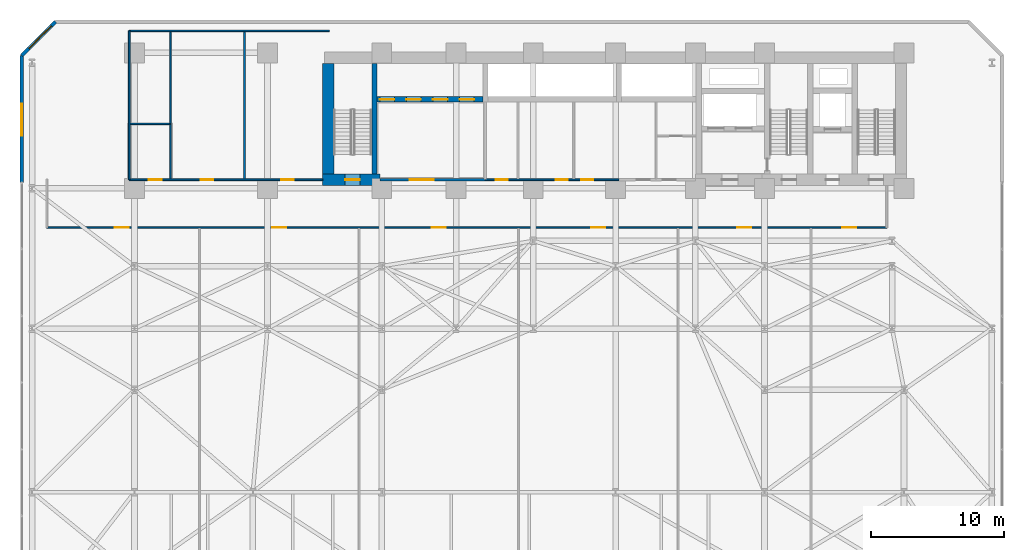
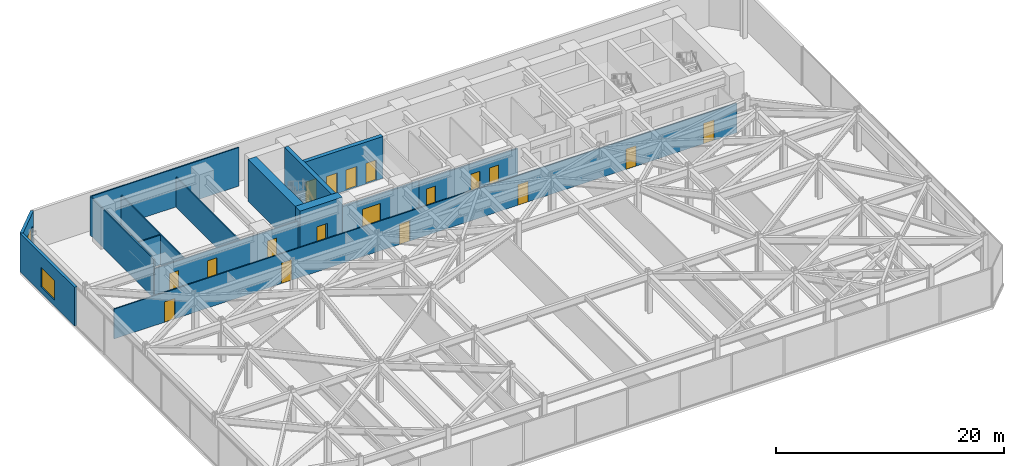
# One storey, part 26 of 30: 18 doors, 15 walls, 2 windows, 20 openings.
"""IFC4 building model written with IfcOpenShell, lengths in metres."""

from ifc_helpers import new_model, si_unit, direction, frame, frame_2d, origin, place, context, subcontext, project, spatial, rectangle, extrude, material, layer, layer_set, type_object, element, fill, save


model = new_model("IFC4")

# Units and contexts
model_context = context("Model", 3, precision=1e-05, world=origin(), true_north=direction((0.0, 1.0)))
body_context = subcontext(model_context, "Body", "Model", "MODEL_VIEW")
ifc_project = project(units=[si_unit("LENGTHUNIT", "METRE"), si_unit("AREAUNIT", "SQUARE_METRE"), si_unit("VOLUMEUNIT", "CUBIC_METRE"), si_unit("PLANEANGLEUNIT", "RADIAN"), si_unit("MASSUNIT", "GRAM", prefix="KILO")], contexts=[model_context])

# Site, building, storey
site_placement = place(None, origin())
site = spatial("IfcSite", under=ifc_project, at=site_placement, CompositionType="ELEMENT")
building_placement = place(site_placement, origin())
building = spatial("IfcBuilding", under=site, at=building_placement, Name="Kravanh Interchange Tower", CompositionType="ELEMENT")
storey_placement = place(building_placement, frame((0.0, 0.0, 19.800048828125)))
storey = spatial("IfcBuildingStorey", under=building, at=storey_placement, Name="L04", CompositionType="ELEMENT", Elevation=19.800048828125)

# Wall, openings, doors
ifc_material_1 = material(Name="Double Acoustic Gypsum Board and Mineral Wool")
ifc_layer_1 = layer(ifc_material_1, 0.1201171875)
ifc_layer_set_1 = layer_set([ifc_layer_1], Name="Acoustic Office Drywall Partition 120mm")
wall_type_1 = type_object("IfcWallType", Name="Acoustic Office Drywall Partition 120mm", PredefinedType="PARTITIONING", material=ifc_layer_set_1)
wall_1_placement = place(storey_placement, frame((2.0, 34.39990234375, 0.0), z_axis=(0.0, 0.0, 1.0), x_axis=(1.0, 0.0, 0.0)))
wall_1 = element("IfcWall", 1, at=wall_1_placement, inside=storey, type_object=wall_type_1, Name="L04 Interior Partition 9", PredefinedType="PARTITIONING", context=body_context, shape_type="SweptSolid", body=[
    extrude(rectangle(XDim=63.199951171875, YDim=0.1201171875, at=frame_2d((31.60009765625, 0.0))), origin(), (0.0, 0.0, 1.0), 3.201904296875),
])
opening_1_placement = place(wall_1_placement, frame((5.10986328125, 0.0, 0.0)))
opening_1 = element("IfcOpeningElement", 2, at=opening_1_placement, cuts=wall_1, Name="Opening D-105", PredefinedType="OPENING", context=body_context, shape_type="SweptSolid", body=[
    extrude(rectangle(XDim=1.050048828125, YDim=2.199951171875, at=frame_2d((0.52490234375, 1.10009765625))), frame((0.0, 0.070068359375, 0.0), z_axis=(0.0, -1.0, 0.0), x_axis=(1.0, 0.0, 0.0)), (0.0, 0.0, 1.0), 0.14013671875),
])
opening_2_placement = place(wall_1_placement, frame((16.97509765625, 0.0, 0.0)))
opening_2 = element("IfcOpeningElement", 3, at=opening_2_placement, cuts=wall_1, Name="Opening D-105", PredefinedType="OPENING", context=body_context, shape_type="SweptSolid", body=[
    extrude(rectangle(XDim=1.050048828125, YDim=2.199951171875, at=frame_2d((0.52490234375, 1.10009765625))), frame((0.0, 0.070068359375, 0.0), z_axis=(0.0, -1.0, 0.0), x_axis=(1.0, 0.0, 0.0)), (0.0, 0.0, 1.0), 0.14013671875),
])
opening_3_placement = place(wall_1_placement, frame((28.97509765625, 0.0, 0.0)))
opening_3 = element("IfcOpeningElement", 4, at=opening_3_placement, cuts=wall_1, Name="Opening D-105", PredefinedType="OPENING", context=body_context, shape_type="SweptSolid", body=[
    extrude(rectangle(XDim=1.050048828125, YDim=2.199951171875, at=frame_2d((0.52490234375, 1.10009765625))), frame((0.0, 0.070068359375, 0.0), z_axis=(0.0, -1.0, 0.0), x_axis=(1.0, 0.0, 0.0)), (0.0, 0.0, 1.0), 0.14013671875),
])
opening_4_placement = place(wall_1_placement, frame((40.97509765625, 0.0, 0.0)))
opening_4 = element("IfcOpeningElement", 5, at=opening_4_placement, cuts=wall_1, Name="Opening D-105", PredefinedType="OPENING", context=body_context, shape_type="SweptSolid", body=[
    extrude(rectangle(XDim=1.050048828125, YDim=2.199951171875, at=frame_2d((0.52490234375, 1.10009765625))), frame((0.0, 0.070068359375, 0.0), z_axis=(0.0, -1.0, 0.0), x_axis=(1.0, 0.0, 0.0)), (0.0, 0.0, 1.0), 0.14013671875),
])
opening_5_placement = place(wall_1_placement, frame((51.93505859375, 0.0, 0.0)))
opening_5 = element("IfcOpeningElement", 6, at=opening_5_placement, cuts=wall_1, Name="Opening D-105", PredefinedType="OPENING", context=body_context, shape_type="SweptSolid", body=[
    extrude(rectangle(XDim=1.050048828125, YDim=2.199951171875, at=frame_2d((0.52490234375, 1.10009765625))), frame((0.0, 0.070068359375, 0.0), z_axis=(0.0, -1.0, 0.0), x_axis=(1.0, 0.0, 0.0)), (0.0, 0.0, 1.0), 0.14013671875),
])
opening_6_placement = place(wall_1_placement, frame((59.85009765625, 0.0, 0.0)))
opening_6 = element("IfcOpeningElement", 7, at=opening_6_placement, cuts=wall_1, Name="Opening D-105", PredefinedType="OPENING", context=body_context, shape_type="SweptSolid", body=[
    extrude(rectangle(XDim=1.050048828125, YDim=2.199951171875, at=frame_2d((0.52490234375, 1.10009765625))), frame((0.0, 0.070068359375, 0.0), z_axis=(0.0, -1.0, 0.0), x_axis=(1.0, 0.0, 0.0)), (0.0, 0.0, 1.0), 0.14013671875),
])
ifc_material_2 = material(Name="Acoustic Glazed Oak and Aluminium", Category="aluminium")
door_type_1 = type_object("IfcDoorType", Name="Office Workplace Door 1050x2200", OperationType="NOTDEFINED", PredefinedType="DOOR", material=ifc_material_2)
door_1_placement = place(opening_1_placement, origin())
door_1 = element("IfcDoor", 8, at=door_1_placement, inside=storey, type_object=door_type_1, Name="L04 Trade Advisory Suite Door", OperationType="SINGLE_SWING_RIGHT", OverallHeight=2.199951171875, OverallWidth=1.050048828125, PredefinedType="DOOR", context=body_context, shape_type="SweptSolid", body=[
    extrude(rectangle(XDim=1.050048828125, YDim=2.199951171875, at=frame_2d((0.52490234375, 1.10009765625))), frame((0.0, 0.02490234375, 0.0), z_axis=(0.0, -1.0, 0.0), x_axis=(1.0, 0.0, 0.0)), (0.0, 0.0, 1.0), 0.050048828125),
])
fill(opening_1, door_1)
door_2_placement = place(opening_2_placement, origin())
door_2 = element("IfcDoor", 9, at=door_2_placement, inside=storey, type_object=door_type_1, Name="L04 Regional Chambers Office Door", OperationType="SINGLE_SWING_LEFT", OverallHeight=2.199951171875, OverallWidth=1.050048828125, PredefinedType="DOOR", context=body_context, shape_type="SweptSolid", body=[
    extrude(rectangle(XDim=1.050048828125, YDim=2.199951171875, at=frame_2d((0.52490234375, 1.10009765625))), frame((0.0, 0.02490234375, 0.0), z_axis=(0.0, -1.0, 0.0), x_axis=(1.0, 0.0, 0.0)), (0.0, 0.0, 1.0), 0.050048828125),
])
fill(opening_2, door_2)
door_3_placement = place(opening_3_placement, origin())
door_3 = element("IfcDoor", 10, at=door_3_placement, inside=storey, type_object=door_type_1, Name="L04 Policy Research Office Door", OperationType="SINGLE_SWING_RIGHT", OverallHeight=2.199951171875, OverallWidth=1.050048828125, PredefinedType="DOOR", context=body_context, shape_type="SweptSolid", body=[
    extrude(rectangle(XDim=1.050048828125, YDim=2.199951171875, at=frame_2d((0.52490234375, 1.10009765625))), frame((0.0, 0.02490234375, 0.0), z_axis=(0.0, -1.0, 0.0), x_axis=(1.0, 0.0, 0.0)), (0.0, 0.0, 1.0), 0.050048828125),
])
fill(opening_3, door_3)
door_4_placement = place(opening_4_placement, origin())
door_4 = element("IfcDoor", 11, at=door_4_placement, inside=storey, type_object=door_type_1, Name="L04 Digital Media Studio Door", OperationType="SINGLE_SWING_LEFT", OverallHeight=2.199951171875, OverallWidth=1.050048828125, PredefinedType="DOOR", context=body_context, shape_type="SweptSolid", body=[
    extrude(rectangle(XDim=1.050048828125, YDim=2.199951171875, at=frame_2d((0.52490234375, 1.10009765625))), frame((0.0, 0.02490234375, 0.0), z_axis=(0.0, -1.0, 0.0), x_axis=(1.0, 0.0, 0.0)), (0.0, 0.0, 1.0), 0.050048828125),
])
fill(opening_4, door_4)
door_5_placement = place(opening_5_placement, origin())
door_5 = element("IfcDoor", 12, at=door_5_placement, inside=storey, type_object=door_type_1, Name="L04 Legal Clinic Door", OperationType="SINGLE_SWING_RIGHT", OverallHeight=2.199951171875, OverallWidth=1.050048828125, PredefinedType="DOOR", context=body_context, shape_type="SweptSolid", body=[
    extrude(rectangle(XDim=1.050048828125, YDim=2.199951171875, at=frame_2d((0.52490234375, 1.10009765625))), frame((0.0, 0.02490234375, 0.0), z_axis=(0.0, -1.0, 0.0), x_axis=(1.0, 0.0, 0.0)), (0.0, 0.0, 1.0), 0.050048828125),
])
fill(opening_5, door_5)
door_6_placement = place(opening_6_placement, origin())
door_6 = element("IfcDoor", 13, at=door_6_placement, inside=storey, type_object=door_type_1, Name="L04 Executive Chambers Office Door", OperationType="SINGLE_SWING_LEFT", OverallHeight=2.199951171875, OverallWidth=1.050048828125, PredefinedType="DOOR", context=body_context, shape_type="SweptSolid", body=[
    extrude(rectangle(XDim=1.050048828125, YDim=2.199951171875, at=frame_2d((0.52490234375, 1.10009765625))), frame((0.0, 0.02490234375, 0.0), z_axis=(0.0, -1.0, 0.0), x_axis=(1.0, 0.0, 0.0)), (0.0, 0.0, 1.0), 0.050048828125),
])
fill(opening_6, door_6)

wall_2_placement = place(storey_placement, frame((8.199951171875, 38.0, 0.0), z_axis=(0.0, 0.0, 1.0), x_axis=(1.0, 0.0, 0.0)))
wall_2 = element("IfcWall", 14, at=wall_2_placement, inside=storey, type_object=wall_type_1, Name="L04 Restroom Corridor Wall 12", PredefinedType="PARTITIONING", context=body_context, shape_type="SweptSolid", body=[
    extrude(rectangle(XDim=14.550048828125, YDim=0.1201171875, at=frame_2d((7.27490234375, 0.0))), origin(), (0.0, 0.0, 1.0), 3.201904296875),
])
opening_7_placement = place(wall_2_placement, frame((1.481689453125, 0.0, 0.0)))
opening_7 = element("IfcOpeningElement", 15, at=opening_7_placement, cuts=wall_2, Name="Opening D-95", PredefinedType="OPENING", context=body_context, shape_type="SweptSolid", body=[
    extrude(rectangle(XDim=0.949951171875, YDim=2.14990234375, at=frame_2d((0.47509765625, 1.074951171875))), frame((0.0, 0.070068359375, 0.0), z_axis=(0.0, -1.0, 0.0), x_axis=(1.0, 0.0, 0.0)), (0.0, 0.0, 1.0), 0.14013671875),
])
opening_8_placement = place(wall_2_placement, frame((5.369873046875, 0.0, 0.0)))
opening_8 = element("IfcOpeningElement", 16, at=opening_8_placement, cuts=wall_2, Name="Opening D-95", PredefinedType="OPENING", context=body_context, shape_type="SweptSolid", body=[
    extrude(rectangle(XDim=0.949951171875, YDim=2.14990234375, at=frame_2d((0.47509765625, 1.074951171875))), frame((0.0, 0.070068359375, 0.0), z_axis=(0.0, -1.0, 0.0), x_axis=(1.0, 0.0, 0.0)), (0.0, 0.0, 1.0), 0.14013671875),
])
opening_9_placement = place(wall_2_placement, frame((11.436767578125, 0.0, 0.0)))
opening_9 = element("IfcOpeningElement", 17, at=opening_9_placement, cuts=wall_2, Name="Opening D-95", PredefinedType="OPENING", context=body_context, shape_type="SweptSolid", body=[
    extrude(rectangle(XDim=0.949951171875, YDim=2.14990234375, at=frame_2d((0.47509765625, 1.074951171875))), frame((0.0, 0.070068359375, 0.0), z_axis=(0.0, -1.0, 0.0), x_axis=(1.0, 0.0, 0.0)), (0.0, 0.0, 1.0), 0.14013671875),
])
ifc_material_3 = material(Name="Laminate Solid-Core Timber", Category="wood")
door_type_2 = type_object("IfcDoorType", Name="Accessible Restroom Door 950x2150", OperationType="NOTDEFINED", PredefinedType="DOOR", material=ifc_material_3)
door_7_placement = place(opening_7_placement, origin())
door_7 = element("IfcDoor", 18, at=door_7_placement, inside=storey, type_object=door_type_2, Name="L04 Accessible WC Door", OperationType="SINGLE_SWING_LEFT", OverallHeight=2.14990234375, OverallWidth=0.949951171875, PredefinedType="DOOR", context=body_context, shape_type="SweptSolid", body=[
    extrude(rectangle(XDim=0.949951171875, YDim=2.14990234375, at=frame_2d((0.47509765625, 1.074951171875))), frame((0.0, 0.02490234375, 0.0), z_axis=(0.0, -1.0, 0.0), x_axis=(1.0, 0.0, 0.0)), (0.0, 0.0, 1.0), 0.050048828125),
])
fill(opening_7, door_7)
door_8_placement = place(opening_8_placement, origin())
door_8 = element("IfcDoor", 19, at=door_8_placement, inside=storey, type_object=door_type_2, Name="L04 Female WC Door", OperationType="SINGLE_SWING_RIGHT", OverallHeight=2.14990234375, OverallWidth=0.949951171875, PredefinedType="DOOR", context=body_context, shape_type="SweptSolid", body=[
    extrude(rectangle(XDim=0.949951171875, YDim=2.14990234375, at=frame_2d((0.47509765625, 1.074951171875))), frame((0.0, 0.02490234375, 0.0), z_axis=(0.0, -1.0, 0.0), x_axis=(1.0, 0.0, 0.0)), (0.0, 0.0, 1.0), 0.050048828125),
])
fill(opening_8, door_8)
door_9_placement = place(opening_9_placement, origin())
door_9 = element("IfcDoor", 20, at=door_9_placement, inside=storey, type_object=door_type_2, Name="L04 Male WC Door", OperationType="SINGLE_SWING_LEFT", OverallHeight=2.14990234375, OverallWidth=0.949951171875, PredefinedType="DOOR", context=body_context, shape_type="SweptSolid", body=[
    extrude(rectangle(XDim=0.949951171875, YDim=2.14990234375, at=frame_2d((0.47509765625, 1.074951171875))), frame((0.0, 0.02490234375, 0.0), z_axis=(0.0, -1.0, 0.0), x_axis=(1.0, 0.0, 0.0)), (0.0, 0.0, 1.0), 0.050048828125),
])
fill(opening_9, door_9)

# Walls
wall_3_placement = place(storey_placement, frame((8.199951171875, 38.0, 0.0), z_axis=(0.0, 0.0, 1.0), x_axis=(0.0, 1.0, 0.0)))
element("IfcWall", 21, at=wall_3_placement, inside=storey, type_object=wall_type_1, Name="L04 Restroom West Enclosure 13", PredefinedType="PARTITIONING", context=body_context, shape_type="SweptSolid", body=[
    extrude(rectangle(XDim=11.199951171875, YDim=0.1201171875, at=frame_2d((5.60009765625, 0.0))), origin(), (0.0, 0.0, 1.0), 4.14990234375),
])
wall_4_placement = place(storey_placement, frame((8.199951171875, 49.199951171875, 0.0), z_axis=(0.0, 0.0, 1.0), x_axis=(1.0, 0.0, 0.0)))
element("IfcWall", 22, at=wall_4_placement, inside=storey, type_object=wall_type_1, Name="L04 Restroom North Enclosure 14", PredefinedType="PARTITIONING", context=body_context, shape_type="SweptSolid", body=[
    extrude(rectangle(XDim=15.050048828125, YDim=0.1201171875, at=frame_2d((7.52490234375, 0.0))), origin(), (0.0, 0.0, 1.0), 4.14990234375),
])
for number, where, z_axis, x_axis, name in (
    (23, (11.300048828125, 38.068115234375, 0.0), (0.0, 0.0, 1.0), (0.0, 1.0, 0.0), "L04 Interior Partition 15"),
    (24, (16.8701171875, 38.068115234375, 0.0), (0.0, 0.0, 1.0), (0.0, 1.0, 0.0), "L04 Interior Partition 16"),
):
    element("IfcWall", number, at=place(storey_placement, frame(where, z_axis=z_axis, x_axis=x_axis)), inside=storey, type_object=wall_type_1, Name=name, PredefinedType="PARTITIONING", context=body_context, shape_type="SweptSolid", body=[
        extrude(rectangle(XDim=11.06396484375, YDim=0.1201171875, at=frame_2d((5.531982421875, 0.0))), origin(), (0.0, 0.0, 1.0), 3.201904296875),
    ])
wall_5_placement = place(storey_placement, frame((8.26806640625, 42.199951171875, 0.0), z_axis=(0.0, 0.0, 1.0), x_axis=(1.0, 0.0, 0.0)))
element("IfcWall", 25, at=wall_5_placement, inside=storey, type_object=wall_type_1, Name="L04 Interior Partition 17", PredefinedType="PARTITIONING", context=body_context, shape_type="SweptSolid", body=[
    extrude(rectangle(XDim=2.9638671875, YDim=0.1201171875, at=frame_2d((1.48193359375, 0.0))), origin(), (0.0, 0.0, 1.0), 3.201904296875),
])

# Wall, openings, doors
ifc_material_4 = material(Name="Concrete C80/95", Category="concrete")
ifc_layer_2 = layer(ifc_material_4, 0.39990234375)
ifc_layer_set_2 = layer_set([ifc_layer_2], Name="Core Shear Wall Concrete C80/95 400mm")
wall_type_2 = type_object("IfcWallType", Name="Core Shear Wall Concrete C80/95 400mm", PredefinedType="SHEAR", material=ifc_layer_set_2)
wall_6_placement = place(storey_placement, frame((26.85009765625, 44.050048828125, 0.0), z_axis=(0.0, 0.0, 1.0), x_axis=(1.0, 0.0, 0.0)))
wall_6 = element("IfcWall", 26, at=wall_6_placement, inside=storey, type_object=wall_type_2, Name="L04 Low-Rise Lift Shaft South Wall", PredefinedType="SHEAR", context=body_context, shape_type="SweptSolid", body=[
    extrude(rectangle(XDim=7.949951171875, YDim=0.39990234375, at=frame_2d((3.97509765625, 0.0))), origin(), (0.0, 0.0, 1.0), 4.5),
])
opening_10_placement = place(wall_6_placement, frame((0.199951171875, 0.0, 0.0)))
opening_10 = element("IfcOpeningElement", 27, at=opening_10_placement, cuts=wall_6, Name="Opening LD01", PredefinedType="OPENING", context=body_context, shape_type="SweptSolid", body=[
    extrude(rectangle(XDim=1.10009765625, YDim=2.199951171875, at=frame_2d((0.550048828125, 1.10009765625))), frame((0.0, 0.2099609375, 0.0), z_axis=(0.0, -1.0, 0.0), x_axis=(1.0, 0.0, 0.0)), (0.0, 0.0, 1.0), 0.419921875),
])
opening_11_placement = place(wall_6_placement, frame((2.199951171875, 0.0, 0.0)))
opening_11 = element("IfcOpeningElement", 28, at=opening_11_placement, cuts=wall_6, Name="Opening LD01", PredefinedType="OPENING", context=body_context, shape_type="SweptSolid", body=[
    extrude(rectangle(XDim=1.10009765625, YDim=2.199951171875, at=frame_2d((0.550048828125, 1.10009765625))), frame((0.0, 0.2099609375, 0.0), z_axis=(0.0, -1.0, 0.0), x_axis=(1.0, 0.0, 0.0)), (0.0, 0.0, 1.0), 0.419921875),
])
opening_12_placement = place(wall_6_placement, frame((4.199951171875, 0.0, 0.0)))
opening_12 = element("IfcOpeningElement", 29, at=opening_12_placement, cuts=wall_6, Name="Opening LD01", PredefinedType="OPENING", context=body_context, shape_type="SweptSolid", body=[
    extrude(rectangle(XDim=1.10009765625, YDim=2.199951171875, at=frame_2d((0.550048828125, 1.10009765625))), frame((0.0, 0.2099609375, 0.0), z_axis=(0.0, -1.0, 0.0), x_axis=(1.0, 0.0, 0.0)), (0.0, 0.0, 1.0), 0.419921875),
])
opening_13_placement = place(wall_6_placement, frame((6.199951171875, 0.0, 0.0)))
opening_13 = element("IfcOpeningElement", 30, at=opening_13_placement, cuts=wall_6, Name="Opening LD01", PredefinedType="OPENING", context=body_context, shape_type="SweptSolid", body=[
    extrude(rectangle(XDim=1.10009765625, YDim=2.199951171875, at=frame_2d((0.550048828125, 1.10009765625))), frame((0.0, 0.2099609375, 0.0), z_axis=(0.0, -1.0, 0.0), x_axis=(1.0, 0.0, 0.0)), (0.0, 0.0, 1.0), 0.419921875),
])
ifc_material_5 = material(Name="Stainless Steel 304", Category="steel")
door_type_3 = type_object("IfcDoorType", Name="Passenger Lift Sliding Landing Door 1100x2200", OperationType="DOUBLE_DOOR_SLIDING", PredefinedType="DOOR", material=ifc_material_5)
door_10_placement = place(opening_10_placement, origin())
door_10 = element("IfcDoor", 31, at=door_10_placement, inside=storey, type_object=door_type_3, Name="L04 Lift LP-L1 Landing Door", OperationType="DOUBLE_DOOR_SLIDING", OverallHeight=2.199951171875, OverallWidth=1.10009765625, PredefinedType="DOOR", context=body_context, shape_type="SweptSolid", body=[
    extrude(rectangle(XDim=1.10009765625, YDim=2.199951171875, at=frame_2d((0.550048828125, 1.10009765625))), frame((0.0, 0.02490234375, 0.0), z_axis=(0.0, -1.0, 0.0), x_axis=(1.0, 0.0, 0.0)), (0.0, 0.0, 1.0), 0.050048828125),
])
fill(opening_10, door_10)
door_11_placement = place(opening_11_placement, origin())
door_11 = element("IfcDoor", 32, at=door_11_placement, inside=storey, type_object=door_type_3, Name="L04 Lift LP-L2 Landing Door", OperationType="DOUBLE_DOOR_SLIDING", OverallHeight=2.199951171875, OverallWidth=1.10009765625, PredefinedType="DOOR", context=body_context, shape_type="SweptSolid", body=[
    extrude(rectangle(XDim=1.10009765625, YDim=2.199951171875, at=frame_2d((0.550048828125, 1.10009765625))), frame((0.0, 0.02490234375, 0.0), z_axis=(0.0, -1.0, 0.0), x_axis=(1.0, 0.0, 0.0)), (0.0, 0.0, 1.0), 0.050048828125),
])
fill(opening_11, door_11)
door_12_placement = place(opening_12_placement, origin())
door_12 = element("IfcDoor", 33, at=door_12_placement, inside=storey, type_object=door_type_3, Name="L04 Lift LP-L3 Landing Door", OperationType="DOUBLE_DOOR_SLIDING", OverallHeight=2.199951171875, OverallWidth=1.10009765625, PredefinedType="DOOR", context=body_context, shape_type="SweptSolid", body=[
    extrude(rectangle(XDim=1.10009765625, YDim=2.199951171875, at=frame_2d((0.550048828125, 1.10009765625))), frame((0.0, 0.02490234375, 0.0), z_axis=(0.0, -1.0, 0.0), x_axis=(1.0, 0.0, 0.0)), (0.0, 0.0, 1.0), 0.050048828125),
])
fill(opening_12, door_12)
door_13_placement = place(opening_13_placement, origin())
door_13 = element("IfcDoor", 34, at=door_13_placement, inside=storey, type_object=door_type_3, Name="L04 Lift LP-L4 Landing Door", OperationType="DOUBLE_DOOR_SLIDING", OverallHeight=2.199951171875, OverallWidth=1.10009765625, PredefinedType="DOOR", context=body_context, shape_type="SweptSolid", body=[
    extrude(rectangle(XDim=1.10009765625, YDim=2.199951171875, at=frame_2d((0.550048828125, 1.10009765625))), frame((0.0, 0.02490234375, 0.0), z_axis=(0.0, -1.0, 0.0), x_axis=(1.0, 0.0, 0.0)), (0.0, 0.0, 1.0), 0.050048828125),
])
fill(opening_13, door_13)

# Wall
wall_7_placement = place(storey_placement, frame((26.64990234375, 38.425048828125, 0.0), z_axis=(0.0, 0.0, 1.0), x_axis=(0.0, 1.0, 0.0)))
element("IfcWall", 35, at=wall_7_placement, inside=storey, type_object=wall_type_2, Name="L04 Stair ST3 East Shear Wall", PredefinedType="SHEAR", context=body_context, shape_type="SweptSolid", body=[
    extrude(rectangle(XDim=8.324951171875, YDim=0.39990234375, at=frame_2d((4.16259765625, 0.0))), origin(), (0.0, 0.0, 1.0), 4.5),
])

# Wall, opening, door
ifc_material_6 = material(Name="Concrete C80/95", Category="concrete")
ifc_layer_3 = layer(ifc_material_6, 0.85009765625)
ifc_layer_set_3 = layer_set([ifc_layer_3], Name="Core Shear Wall Concrete C80/95 850mm")
wall_type_3 = type_object("IfcWallType", Name="Core Shear Wall Concrete C80/95 850mm", PredefinedType="SHEAR", material=ifc_layer_set_3)
wall_8_placement = place(storey_placement, frame((22.75, 38.0, 0.0), z_axis=(0.0, 0.0, 1.0), x_axis=(1.0, 0.0, 0.0)))
wall_8 = element("IfcWall", 36, at=wall_8_placement, inside=storey, type_object=wall_type_3, Name="L04 Stair ST3 South Shear Wall", PredefinedType="SHEAR", context=body_context, shape_type="SweptSolid", body=[
    extrude(rectangle(XDim=4.300048828125, YDim=0.85009765625, at=frame_2d((2.14990234375, 0.0))), origin(), (0.0, 0.0, 1.0), 4.5),
])
opening_14_placement = place(wall_8_placement, frame((1.699951171875, 0.0, 0.0)))
opening_14 = element("IfcOpeningElement", 37, at=opening_14_placement, cuts=wall_8, Name="Opening D-STAIR-110", PredefinedType="OPENING", context=body_context, shape_type="SweptSolid", body=[
    extrude(rectangle(XDim=1.10009765625, YDim=2.199951171875, at=frame_2d((0.550048828125, 1.10009765625))), frame((0.0, 0.43505859375, 0.0), z_axis=(0.0, -1.0, 0.0), x_axis=(1.0, 0.0, 0.0)), (0.0, 0.0, 1.0), 0.8701171875),
])
ifc_material_7 = material(Name="Structural Steel S355", Category="steel")
door_type_4 = type_object("IfcDoorType", Name="Fire-Rated Exit Stair Door 1100x2200", OperationType="NOTDEFINED", PredefinedType="DOOR", material=ifc_material_7)
door_14_placement = place(opening_14_placement, origin())
door_14 = element("IfcDoor", 38, at=door_14_placement, inside=storey, type_object=door_type_4, Name="L04 Exit Stair ST3 Door", OperationType="SINGLE_SWING_RIGHT", OverallHeight=2.199951171875, OverallWidth=1.10009765625, PredefinedType="DOOR", context=body_context, shape_type="SweptSolid", body=[
    extrude(rectangle(XDim=1.10009765625, YDim=2.199951171875, at=frame_2d((0.550048828125, 1.10009765625))), frame((0.0, 0.02490234375, 0.0), z_axis=(0.0, -1.0, 0.0), x_axis=(1.0, 0.0, 0.0)), (0.0, 0.0, 1.0), 0.050048828125),
])
fill(opening_14, door_14)

# Wall
wall_9_placement = place(storey_placement, frame((23.175048828125, 38.425048828125, 0.0), z_axis=(0.0, 0.0, 1.0), x_axis=(0.0, 1.0, 0.0)))
element("IfcWall", 39, at=wall_9_placement, inside=storey, type_object=wall_type_3, Name="L04 Stair ST3 West Shear Wall", PredefinedType="SHEAR", context=body_context, shape_type="SweptSolid", body=[
    extrude(rectangle(XDim=8.324951171875, YDim=0.85009765625, at=frame_2d((4.16259765625, 0.0))), origin(), (0.0, 0.0, 1.0), 4.5),
])

# Wall, opening, window
ifc_material_8 = material(Name="Insulated Precast Concrete C40/50 with Bronze Cladding", Category="concrete")
ifc_layer_4 = layer(ifc_material_8, 0.280029296875)
ifc_layer_set_4 = layer_set([ifc_layer_4], Name="Exterior Insulated Concrete C40/50 Bronze Spandrel Wall 280mm")
wall_type_4 = type_object("IfcWallType", Name="Exterior Insulated Concrete C40/50 Bronze Spandrel Wall 280mm", PredefinedType="STANDARD", material=ifc_layer_set_4)
wall_10_placement = place(storey_placement, frame((0.1201171875, 37.800048828125, 0.0), z_axis=(0.0, 0.0, 1.0), x_axis=(0.0, 1.0, 0.0)))
wall_10 = element("IfcWall", 40, at=wall_10_placement, inside=storey, type_object=wall_type_4, Name="L04 Exterior Wall 1", PredefinedType="STANDARD", context=body_context, shape_type="SweptSolid", body=[
    extrude(rectangle(XDim=9.55029296875, YDim=0.280029296875, at=frame_2d((4.775146484375, 0.0))), origin(), (0.0, 0.0, 1.0), 4.14990234375),
])
opening_15_placement = place(wall_10_placement, frame((3.5146484375, 0.0, 0.64990234375)))
opening_15 = element("IfcOpeningElement", 41, at=opening_15_placement, cuts=wall_10, Name="Opening WN-240X210", PredefinedType="OPENING", context=body_context, shape_type="SweptSolid", body=[
    extrude(rectangle(XDim=2.39990234375, YDim=2.10009765625, at=frame_2d((1.199951171875, 1.050048828125))), frame((0.0, 0.14990234375, 0.0), z_axis=(0.0, -1.0, 0.0), x_axis=(1.0, 0.0, 0.0)), (0.0, 0.0, 1.0), 0.300048828125),
])
ifc_material_9 = material(Name="Thermally Broken Bronze Aluminium and Low-E Glass", Category="aluminium")
window_type = type_object("IfcWindowType", Name="Podium Punched Window 2400x2100", PartitioningType="SINGLE_PANEL", PredefinedType="WINDOW", material=ifc_material_9)
window_1_placement = place(opening_15_placement, origin())
window_1 = element("IfcWindow", 42, at=window_1_placement, inside=storey, type_object=window_type, Name="L04 Corner Window 1", OverallHeight=2.10009765625, OverallWidth=2.39990234375, PartitioningType="SINGLE_PANEL", PredefinedType="WINDOW", context=body_context, shape_type="SweptSolid", body=[
    extrude(rectangle(XDim=2.39990234375, YDim=2.10009765625, at=frame_2d((1.199951171875, 1.050048828125))), frame((0.0, 0.030029296875, 0.0), z_axis=(0.0, -1.0, 0.0), x_axis=(1.0, 0.0, 0.0)), (0.0, 0.0, 1.0), 0.06005859375),
])
fill(opening_15, window_1)

wall_11_placement = place(storey_placement, frame((0.1201171875, 47.350341796875, 0.0), z_axis=(0.0, 0.0, 1.0), x_axis=(0.707106781187, 0.707106781187, 0.0)))
wall_11 = element("IfcWall", 43, at=wall_11_placement, inside=storey, type_object=wall_type_4, Name="L04 Exterior Wall 2", PredefinedType="STANDARD", context=body_context, shape_type="SweptSolid", body=[
    extrude(rectangle(XDim=3.577392578125, YDim=0.280029296875, at=frame_2d((1.78857421875, 0.0))), origin(), (0.0, 0.0, 1.0), 4.14990234375),
])
opening_16_placement = place(wall_11_placement, frame((0.750732421875, 0.0, 0.64990234375)))
opening_16 = element("IfcOpeningElement", 44, at=opening_16_placement, cuts=wall_11, Name="Opening WN-240X210", PredefinedType="OPENING", context=body_context, shape_type="SweptSolid", body=[
    extrude(rectangle(XDim=2.39990234375, YDim=2.10009765625, at=frame_2d((1.199951171875, 1.050048828125))), frame((0.0, 0.14990234375, 0.0), z_axis=(0.0, -1.0, 0.0), x_axis=(1.0, 0.0, 0.0)), (0.0, 0.0, 1.0), 0.300048828125),
])
window_2_placement = place(opening_16_placement, origin())
window_2 = element("IfcWindow", 45, at=window_2_placement, inside=storey, type_object=window_type, Name="L04 Corner Window 2", OverallHeight=2.10009765625, OverallWidth=2.39990234375, PartitioningType="SINGLE_PANEL", PredefinedType="WINDOW", context=body_context, shape_type="SweptSolid", body=[
    extrude(rectangle(XDim=2.39990234375, YDim=2.10009765625, at=frame_2d((1.199951171875, 1.050048828125))), frame((0.0, 0.030029296875, 0.0), z_axis=(0.0, -1.0, 0.0), x_axis=(1.0, 0.0, 0.0)), (0.0, 0.0, 1.0), 0.06005859375),
])
fill(opening_16, window_2)

# Wall, opening, door
ifc_material_10 = material(Name="Autoclaved Aerated Concrete C30/37 Blockwork", Category="masonry")
ifc_layer_5 = layer(ifc_material_10, 0.179931640625)
ifc_layer_set_5 = layer_set([ifc_layer_5], Name="Fire-Rated Lobby and Corridor Wall Concrete C30/37 180mm")
wall_type_5 = type_object("IfcWallType", Name="Fire-Rated Lobby and Corridor Wall Concrete C30/37 180mm", PredefinedType="STANDARD", material=ifc_layer_set_5)
wall_12_placement = place(storey_placement, frame((27.050048828125, 38.0, 0.0), z_axis=(0.0, 0.0, 1.0), x_axis=(1.0, 0.0, 0.0)))
wall_12 = element("IfcWall", 46, at=wall_12_placement, inside=storey, type_object=wall_type_5, Name="L04 Low-Rise Lobby South Wall 5", PredefinedType="STANDARD", context=body_context, shape_type="SweptSolid", body=[
    extrude(rectangle(XDim=7.949951171875, YDim=0.179931640625, at=frame_2d((3.97509765625, 0.0))), origin(), (0.0, 0.0, 1.0), 3.201904296875),
])
opening_17_placement = place(wall_12_placement, frame((2.25, 0.0, 0.0)))
opening_17 = element("IfcOpeningElement", 47, at=opening_17_placement, cuts=wall_12, Name="Opening DBL-180", PredefinedType="OPENING", context=body_context, shape_type="SweptSolid", body=[
    extrude(rectangle(XDim=1.800048828125, YDim=2.199951171875, at=frame_2d((0.89990234375, 1.10009765625))), frame((0.0, 0.10009765625, 0.0), z_axis=(0.0, -1.0, 0.0), x_axis=(1.0, 0.0, 0.0)), (0.0, 0.0, 1.0), 0.199951171875),
])
ifc_material_11 = material(Name="Structural Steel S355", Category="steel")
door_type_5 = type_object("IfcDoorType", Name="Lift Lobby Double Fire Door 1800x2200", OperationType="DOUBLE_DOOR_SINGLE_SWING", PredefinedType="DOOR", material=ifc_material_11)
door_15_placement = place(opening_17_placement, origin())
door_15 = element("IfcDoor", 48, at=door_15_placement, inside=storey, type_object=door_type_5, Name="L04 Low-Rise Lift Lobby Door", OperationType="DOUBLE_DOOR_SINGLE_SWING", OverallHeight=2.199951171875, OverallWidth=1.800048828125, PredefinedType="DOOR", context=body_context, shape_type="SweptSolid", body=[
    extrude(rectangle(XDim=1.800048828125, YDim=2.199951171875, at=frame_2d((0.89990234375, 1.10009765625))), frame((0.0, 0.02490234375, 0.0), z_axis=(0.0, -1.0, 0.0), x_axis=(1.0, 0.0, 0.0)), (0.0, 0.0, 1.0), 0.050048828125),
])
fill(opening_17, door_15)

# Wall, openings, doors
ifc_material_12 = material(Name="Twin Stud Acoustic Gypsum Board Wall")
ifc_layer_6 = layer(ifc_material_12, 0.14990234375)
ifc_layer_set_6 = layer_set([ifc_layer_6], Name="Medium-Duty Acoustic Partition 150mm")
wall_type_6 = type_object("IfcWallType", Name="Medium-Duty Acoustic Partition 150mm", PredefinedType="PARTITIONING", material=ifc_layer_set_6)
wall_13_placement = place(storey_placement, frame((35.0, 38.0, 0.0), z_axis=(0.0, 0.0, 1.0), x_axis=(1.0, 0.0, 0.0)))
wall_13 = element("IfcWall", 49, at=wall_13_placement, inside=storey, type_object=wall_type_6, Name="L04 Core Support South Wall 6", PredefinedType="PARTITIONING", context=body_context, shape_type="SweptSolid", body=[
    extrude(rectangle(XDim=10.050048828125, YDim=0.14990234375, at=frame_2d((5.02490234375, 0.0))), origin(), (0.0, 0.0, 1.0), 3.201904296875),
])
opening_18_placement = place(wall_13_placement, frame((0.78466796875, 0.0, 0.0)))
opening_18 = element("IfcOpeningElement", 50, at=opening_18_placement, cuts=wall_13, Name="Opening D-90", PredefinedType="OPENING", context=body_context, shape_type="SweptSolid", body=[
    extrude(rectangle(XDim=0.89990234375, YDim=2.10009765625, at=frame_2d((0.449951171875, 1.050048828125))), frame((0.0, 0.0849609375, 0.0), z_axis=(0.0, -1.0, 0.0), x_axis=(1.0, 0.0, 0.0)), (0.0, 0.0, 1.0), 0.169921875),
])
opening_19_placement = place(wall_13_placement, frame((5.300048828125, 0.0, 0.0)))
opening_19 = element("IfcOpeningElement", 51, at=opening_19_placement, cuts=wall_13, Name="Opening D-90", PredefinedType="OPENING", context=body_context, shape_type="SweptSolid", body=[
    extrude(rectangle(XDim=0.89990234375, YDim=2.10009765625, at=frame_2d((0.449951171875, 1.050048828125))), frame((0.0, 0.0849609375, 0.0), z_axis=(0.0, -1.0, 0.0), x_axis=(1.0, 0.0, 0.0)), (0.0, 0.0, 1.0), 0.169921875),
])
opening_20_placement = place(wall_13_placement, frame((7.199951171875, 0.0, 0.0)))
opening_20 = element("IfcOpeningElement", 52, at=opening_20_placement, cuts=wall_13, Name="Opening D-90", PredefinedType="OPENING", context=body_context, shape_type="SweptSolid", body=[
    extrude(rectangle(XDim=0.89990234375, YDim=2.10009765625, at=frame_2d((0.449951171875, 1.050048828125))), frame((0.0, 0.0849609375, 0.0), z_axis=(0.0, -1.0, 0.0), x_axis=(1.0, 0.0, 0.0)), (0.0, 0.0, 1.0), 0.169921875),
])
ifc_material_13 = material(Name="Painted Solid-Core Timber", Category="wood")
door_type_6 = type_object("IfcDoorType", Name="Service Room Door 900x2100", OperationType="NOTDEFINED", PredefinedType="DOOR", material=ifc_material_13)
door_16_placement = place(opening_18_placement, origin())
door_16 = element("IfcDoor", 53, at=door_16_placement, inside=storey, type_object=door_type_6, Name="L04 IDF Closet Door", OperationType="SINGLE_SWING_RIGHT", OverallHeight=2.10009765625, OverallWidth=0.89990234375, PredefinedType="DOOR", context=body_context, shape_type="SweptSolid", body=[
    extrude(rectangle(XDim=0.89990234375, YDim=2.10009765625, at=frame_2d((0.449951171875, 1.050048828125))), frame((0.0, 0.02490234375, 0.0), z_axis=(0.0, -1.0, 0.0), x_axis=(1.0, 0.0, 0.0)), (0.0, 0.0, 1.0), 0.050048828125),
])
fill(opening_18, door_16)
door_17_placement = place(opening_19_placement, origin())
door_17 = element("IfcDoor", 54, at=door_17_placement, inside=storey, type_object=door_type_6, Name="L04 AHU Fan Room Door", OperationType="SINGLE_SWING_LEFT", OverallHeight=2.10009765625, OverallWidth=0.89990234375, PredefinedType="DOOR", context=body_context, shape_type="SweptSolid", body=[
    extrude(rectangle(XDim=0.89990234375, YDim=2.10009765625, at=frame_2d((0.449951171875, 1.050048828125))), frame((0.0, 0.02490234375, 0.0), z_axis=(0.0, -1.0, 0.0), x_axis=(1.0, 0.0, 0.0)), (0.0, 0.0, 1.0), 0.050048828125),
])
fill(opening_19, door_17)
door_18_placement = place(opening_20_placement, origin())
door_18 = element("IfcDoor", 55, at=door_18_placement, inside=storey, type_object=door_type_6, Name="L04 Archive Closet Door", OperationType="SINGLE_SWING_RIGHT", OverallHeight=2.10009765625, OverallWidth=0.89990234375, PredefinedType="DOOR", context=body_context, shape_type="SweptSolid", body=[
    extrude(rectangle(XDim=0.89990234375, YDim=2.10009765625, at=frame_2d((0.449951171875, 1.050048828125))), frame((0.0, 0.02490234375, 0.0), z_axis=(0.0, -1.0, 0.0), x_axis=(1.0, 0.0, 0.0)), (0.0, 0.0, 1.0), 0.050048828125),
])
fill(opening_20, door_18)

save(model, "model.ifc")
